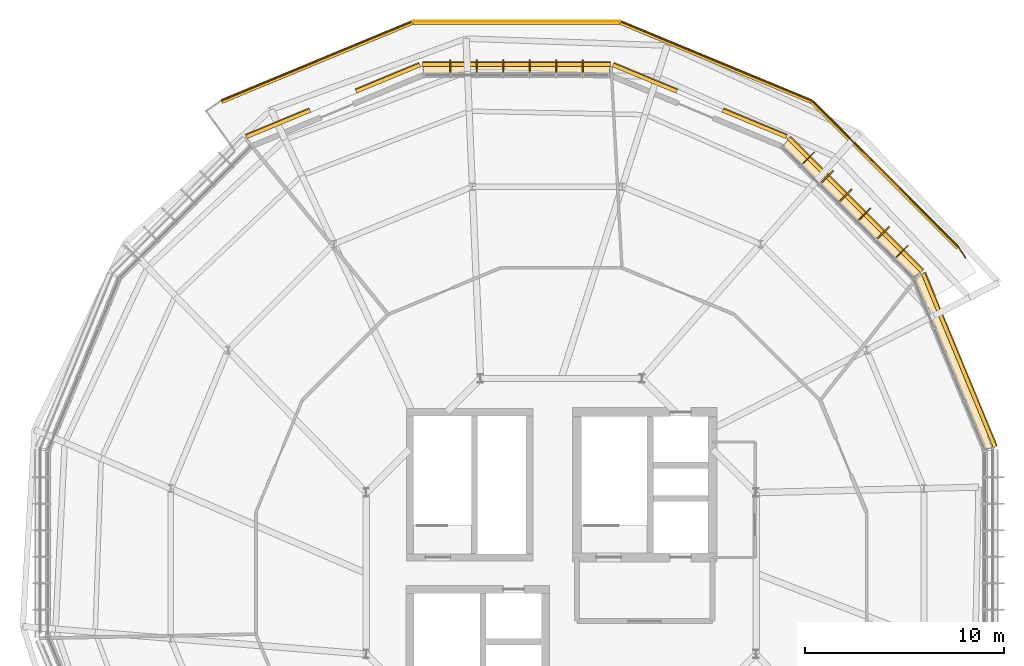
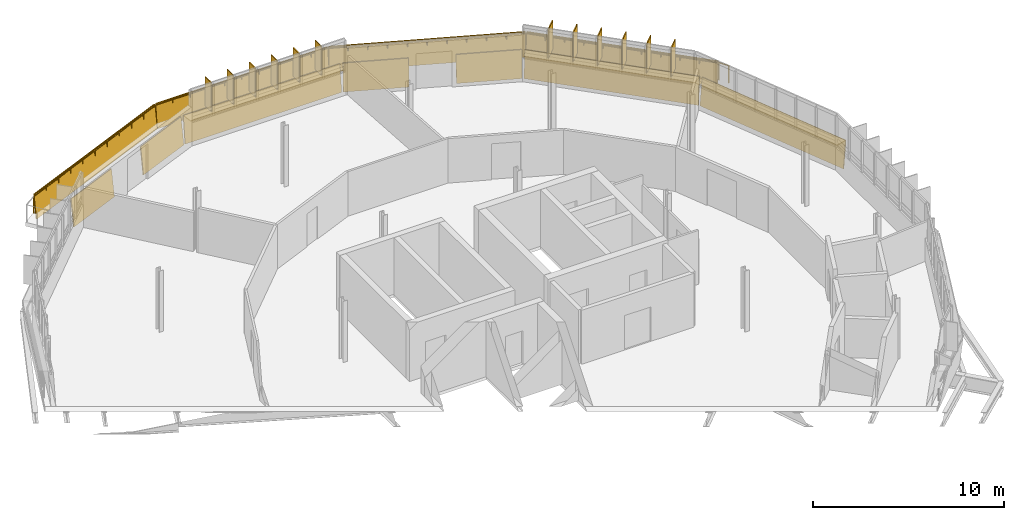
# One storey, part 31 of 31: 21 railings, 14 coverings, 12 shading devices.
"""IFC4 building model written with IfcOpenShell, lengths in metres."""

from ifc_helpers import new_model, si_unit, derived_unit, direction, frame, origin, origin_2d, place, context, subcontext, project, spatial, polyline, rectangle, circle, outline, extrude, material, layer, layer_set, type_object, element, save


model = new_model("IFC4")

# Units and contexts
model_context = context("Model", 3, precision=1e-05, world=origin(), true_north=direction((0.0, 1.0)))
body_context = subcontext(model_context, "Body", "Model", "MODEL_VIEW")
ifc_project = project(units=[si_unit("LENGTHUNIT", "METRE"), si_unit("AREAUNIT", "SQUARE_METRE"), si_unit("VOLUMEUNIT", "CUBIC_METRE"), si_unit("PLANEANGLEUNIT", "RADIAN"), si_unit("MASSUNIT", "GRAM", prefix="KILO"), derived_unit("THERMALTRANSMITTANCEUNIT", [(si_unit("MASSUNIT", "GRAM", prefix="KILO"), 1), (si_unit("TIMEUNIT", "SECOND"), -3), (si_unit("THERMODYNAMICTEMPERATUREUNIT", "KELVIN"), -1)])], contexts=[model_context])

# Site, building, storey
site_placement = place(None, origin())
site = spatial("IfcSite", under=ifc_project, at=site_placement, CompositionType="ELEMENT")
building_placement = place(site_placement, origin())
building = spatial("IfcBuilding", under=site, at=building_placement, Name="Makaiwela Harbour Ferry Terminal", CompositionType="ELEMENT")
storey_placement = place(building_placement, frame((0.0, 0.0, 21.60009765625)))
storey = spatial("IfcBuildingStorey", under=building, at=storey_placement, Name="L05", CompositionType="ELEMENT", Elevation=21.60009765625)

# Coverings
ifc_material_1 = material(Name="White glazed marine ceramic rainscreen tile", Category="masonry")
ifc_layer_1 = layer(ifc_material_1, 0.054931640625)
ifc_layer_set_1 = layer_set([ifc_layer_1], Name="White glazed marine ceramic rainscreen tile")
covering_type = type_object("IfcCoveringType", Name="ENV-CLD-CERAMIC", PredefinedType="CLADDING", material=ifc_layer_set_1)
covering_1_placement = place(storey_placement, frame((59.512939453125, 73.90625, -0.2001953125), z_axis=(-0.918357588115, -0.380395729275, 0.109171559944), x_axis=(-0.382683055547, 0.923879688594, 0.0)))
element("IfcCovering", 1, at=covering_1_placement, inside=storey, type_object=covering_type, Name="Ceramic Spandrel Facet CLD-0127", PredefinedType="CLADDING", context=body_context, shape_type="SweptSolid", body=[
    extrude(outline(polyline([(0.0, 0.0), (9.459831406238237, 0.0), (9.459794785903206, -1.7305585261408318), (-3.6620335031142814e-05, -1.7305585261408318), (0.0, 0.0)])), origin(), (0.0, 0.0, -1.0), 0.054931640625),
])
covering_2_placement = place(storey_placement, frame((0.0, 0.0, 1.47998046875)))
element("IfcCovering", 2, at=covering_2_placement, inside=storey, type_object=covering_type, Name="Ceramic Ring Sill Cap CLD-0128", PredefinedType="CLADDING", context=body_context, shape_type="SweptSolid", body=[
    extrude(outline(polyline([(59.6875, 73.978515625), (56.0673828125, 82.71826171875), (55.516845703125, 82.406005859375), (59.077392578125, 73.809814453125), (59.6875, 73.978515625)])), origin(), (0.0, 0.0, 1.0), 0.054931640625),
])
covering_3_placement = place(storey_placement, frame((55.849609375, 82.710693359375, -0.2001953125), z_axis=(-0.70288330772, -0.70288330772, 0.109133457089), x_axis=(-0.707106781187, 0.707106781187, 0.0)))
element("IfcCovering", 3, at=covering_3_placement, inside=storey, type_object=covering_type, Name="Ceramic Spandrel Facet CLD-0129", PredefinedType="CLADDING", context=body_context, shape_type="SweptSolid", body=[
    extrude(outline(polyline([(0.0, 0.0), (9.459624800268081, 0.0), (9.459624800268081, -1.7305512419385438), (-0.0003452669830012328, -1.7305512419385438), (0.0, 0.0)])), origin(), (0.0, 0.0, -1.0), 0.054931640625),
])
covering_4_placement = place(storey_placement, frame((0.0, 0.0, 1.47998046875)))
element("IfcCovering", 4, at=covering_4_placement, inside=storey, type_object=covering_type, Name="Ceramic Ring Sill Cap CLD-0130", PredefinedType="CLADDING", context=body_context, shape_type="SweptSolid", body=[
    extrude(outline(polyline([(55.9833984375, 82.843994140625), (49.294189453125, 89.533203125), (48.90478515625, 89.0341796875), (55.484130859375, 82.454833984375), (55.9833984375, 82.843994140625)])), origin(), (0.0, 0.0, 1.0), 0.054931640625),
])
covering_5_placement = place(storey_placement, frame((49.086669921875, 89.44677734375, -0.2001953125), z_axis=(-0.380426371444, -0.918352547739, 0.109107167372), x_axis=(-0.923868194957, 0.38271080248, -3.524932e-06)))
element("IfcCovering", 5, at=covering_5_placement, inside=storey, type_object=covering_type, Name="Ceramic Spandrel Facet CLD-0131", PredefinedType="CLADDING", context=body_context, shape_type="SweptSolid", body=[
    extrude(outline(polyline([(0.0, 0.0), (3.4699407526040362, 2.7755575615628914e-17), (3.4699769834137264, -1.7305585225180604), (-5.7204444821209845e-05, -1.7305339126589896), (0.0, 0.0)])), origin(), (0.0, 0.0, -1.0), 0.054931640625),
])
covering_6_placement = place(storey_placement, frame((43.5712890625, 91.731201171875, -0.2001953125), z_axis=(-0.380393818226, -0.918358379689, 0.109171559988), x_axis=(-0.923880484932, 0.382681133009, 0.0)))
element("IfcCovering", 6, at=covering_6_placement, inside=storey, type_object=covering_type, Name="Ceramic Spandrel Facet CLD-0132", PredefinedType="CLADDING", context=body_context, shape_type="SweptSolid", body=[
    extrude(outline(polyline([(0.0, 0.0), (3.469940754414904, -2.7755575615628914e-17), (3.469976981602839, -1.7305585261491065), (3.6227187934362304e-05, -1.7305585261491065), (0.0, 0.0)])), origin(), (0.0, 0.0, -1.0), 0.054931640625),
])
covering_7_placement = place(storey_placement, frame((40.280029296875, 93.078125, -0.2001953125), z_axis=(0.0, -0.994020597742, 0.109192725327), x_axis=(-1.0, 0.0, 0.0)))
element("IfcCovering", 7, at=covering_7_placement, inside=storey, type_object=covering_type, Name="Ceramic Spandrel Facet CLD-0133", PredefinedType="CLADDING", context=body_context, shape_type="SweptSolid", body=[
    extrude(outline(polyline([(0.0, 0.0), (9.4599609375, 0.0), (9.4599609375, -1.7305625735093486), (0.0, -1.7305625735093486), (0.0, 0.0)])), origin(), (0.0, 0.0, -1.0), 0.054931640625),
])
covering_8_placement = place(storey_placement, frame((0.0, 0.0, 1.47998046875)))
element("IfcCovering", 8, at=covering_8_placement, inside=storey, type_object=covering_type, Name="Ceramic Ring Sill Cap CLD-0134", PredefinedType="CLADDING", context=body_context, shape_type="SweptSolid", body=[
    extrude(outline(polyline([(40.280029296875, 93.26708984375), (30.820068359375, 93.26708984375), (30.897705078125, 92.638916015625), (40.2021484375, 92.638916015625), (40.280029296875, 93.26708984375)])), origin(), (0.0, 0.0, 1.0), 0.054931640625),
])
covering_9_placement = place(storey_placement, frame((30.734619140625, 93.05908203125, -0.2001953125), z_axis=(0.380393818226, -0.918358379689, 0.109171559988), x_axis=(-0.923880484932, -0.382681133009, 0.0)))
element("IfcCovering", 9, at=covering_9_placement, inside=storey, type_object=covering_type, Name="Ceramic Spandrel Facet CLD-0135", PredefinedType="CLADDING", context=body_context, shape_type="SweptSolid", body=[
    extrude(outline(polyline([(0.0, 0.0), (3.469940754414904, 2.7755575615628914e-17), (3.46990452722697, -1.7305585261491065), (-3.6227187934362304e-05, -1.7305585261491065), (0.0, 0.0)])), origin(), (0.0, 0.0, -1.0), 0.054931640625),
])
covering_10_placement = place(storey_placement, frame((25.218994140625, 90.774658203125, -0.2001953125), z_axis=(0.380426371444, -0.918352547739, 0.109107167372), x_axis=(-0.923868194957, -0.38271080248, 3.524932e-06)))
element("IfcCovering", 10, at=covering_10_placement, inside=storey, type_object=covering_type, Name="Ceramic Spandrel Facet CLD-0136", PredefinedType="CLADDING", context=body_context, shape_type="SweptSolid", body=[
    extrude(outline(polyline([(0.0, 0.0), (3.4699407526040362, -2.7755575615628914e-17), (3.4699979570488573, -1.7305339126589896), (-3.623080969039921e-05, -1.7305585225180604), (0.0, 0.0)])), origin(), (0.0, 0.0, -1.0), 0.054931640625),
])
covering_11_placement = place(storey_placement, frame((57.6650390625, 83.8759765625, -0.340087890625), z_axis=(-0.702828425055, -0.702828425055, 0.109838107546), x_axis=(-0.707106781187, 0.707106781187, 0.0)))
element("IfcCovering", 11, at=covering_11_placement, inside=storey, type_object=covering_type, Name="Coiled Ramp Ceramic Fascia CLD-R0005", PredefinedType="CLADDING", context=body_context, shape_type="SweptSolid", body=[
    extrude(outline(polyline([(0.0, 0.0), (10.379070776000393, 0.0), (10.378898142508893, -1.5292724081252662), (0.00017263349150060947, -1.5292724081252662), (0.0, 0.0)])), origin(), (0.0, 0.0, -1.0), 0.054931640625),
])
covering_12_placement = place(storey_placement, frame((50.326904296875, 91.21435546875, -0.340087890625), z_axis=(-0.380356394083, -0.918286670508, 0.109902703547), x_axis=(-0.923883210669, 0.382674552387, 4.91665e-07)))
element("IfcCovering", 12, at=covering_12_placement, inside=storey, type_object=covering_type, Name="Coiled Ramp Ceramic Fascia CLD-R0006", PredefinedType="CLADDING", context=body_context, shape_type="SweptSolid", body=[
    extrude(outline(polyline([(0.0, 0.0), (10.378628593075618, 5.551115123125783e-17), (10.378726930970561, -1.5292782603643127), (-0.00012721952953505616, -1.529288528288965), (0.0, 0.0)])), origin(), (0.0, 0.0, -1.0), 0.054931640625),
])
covering_13_placement = place(storey_placement, frame((40.739501953125, 95.185791015625, -0.340087890625), z_axis=(0.0, -0.993932309544, 0.109993472739), x_axis=(-1.0, 0.0, 0.0)))
element("IfcCovering", 13, at=covering_13_placement, inside=storey, type_object=covering_type, Name="Coiled Ramp Ceramic Fascia CLD-R0007", PredefinedType="CLADDING", context=body_context, shape_type="SweptSolid", body=[
    extrude(outline(polyline([(0.0, 0.0), (10.37890625, 0.0), (10.37890625, -1.5292988432461094), (0.0, -1.5292988432461094), (0.0, 0.0)])), origin(), (0.0, 0.0, -1.0), 0.054931640625),
])
covering_14_placement = place(storey_placement, frame((30.36181640625, 95.18603515625, -0.340087890625), z_axis=(0.380356394083, -0.918286670508, 0.109902703547), x_axis=(-0.923883252276, -0.382674451935, 4.91654e-07)))
element("IfcCovering", 14, at=covering_14_placement, inside=storey, type_object=covering_type, Name="Coiled Ramp Ceramic Fascia CLD-R0008", PredefinedType="CLADDING", context=body_context, shape_type="SweptSolid", body=[
    extrude(outline(polyline([(0.0, 0.0), (10.378854150505175, 1.1102230246251565e-16), (10.37875732554352, -1.5292782604608508), (0.00012873247298253126, -1.5292885281623565), (0.0, 0.0)])), origin(), (0.0, 0.0, -1.0), 0.054931640625),
])

# Shading devices
ifc_material_2 = material(Name="Marine anodised aluminium 6063-T6", Category="aluminium")
ifc_layer_2 = layer(ifc_material_2, 0.054931640625)
ifc_layer_set_2 = layer_set([ifc_layer_2], Name="Marine anodised aluminium 6063-T6")
shading_device_type_1 = type_object("IfcShadingDeviceType", Name="ENV-FIN-650", PredefinedType="USERDEFINED", material=ifc_layer_set_2)
for number, where, z_axis, x_axis, name in (
    (15, (38.873046875, 93.076904296875, 1.60009765625), (0.0, 0.0, 1.0), (0.0, 1.0, 0.0), "Vertical Solar Fin SFN-0156"),
    (16, (37.543701171875, 93.076904296875, 1.60009765625), (0.0, 0.0, 1.0), (0.0, 1.0, 0.0), "Vertical Solar Fin SFN-0157"),
    (17, (36.214599609375, 93.076904296875, 1.60009765625), (0.0, 0.0, 1.0), (0.0, 1.0, 0.0), "Vertical Solar Fin SFN-0158"),
    (18, (34.885498046875, 93.076904296875, 1.60009765625), (0.0, 0.0, 1.0), (0.0, 1.0, 0.0), "Vertical Solar Fin SFN-0159"),
    (19, (33.55615234375, 93.076904296875, 1.60009765625), (0.0, 0.0, 1.0), (0.0, 1.0, 0.0), "Vertical Solar Fin SFN-0160"),
    (20, (32.22705078125, 93.076904296875, 1.60009765625), (0.0, 0.0, 1.0), (0.0, 1.0, 0.0), "Vertical Solar Fin SFN-0161"),
):
    element("IfcShadingDevice", number, at=place(storey_placement, frame(where, z_axis=z_axis, x_axis=x_axis)), inside=storey, type_object=shading_device_type_1, Name=name, ObjectType="SOLAR FIN", PredefinedType="USERDEFINED", context=body_context, shape_type="SweptSolid", body=[
        extrude(rectangle(XDim=0.64990234375, YDim=0.054931640625, at=origin_2d()), origin(), (0.0, 0.0, 1.0), 1.840087890625),
    ])
ifc_material_3 = material(Name="Thermally modified Accoya timber and anodised aluminium", Category="wood")
ifc_layer_3 = layer(ifc_material_3, 0.06005859375)
ifc_layer_set_3 = layer_set([ifc_layer_3], Name="Thermally modified Accoya timber and anodised aluminium")
shading_device_type_2 = type_object("IfcShadingDeviceType", Name="ENV-FIN-850", PredefinedType="USERDEFINED", material=ifc_layer_set_3)
for number, where, z_axis, x_axis, name in (
    (21, (54.924560546875, 83.775146484375, 1.60009765625), (0.0, 0.0, 1.0), (0.707106781187, 0.707106781187, 0.0), "Vertical Solar Fin SFN-0150"),
    (22, (53.984619140625, 84.715087890625, 1.60009765625), (0.0, 0.0, 1.0), (0.707106781187, 0.707106781187, 0.0), "Vertical Solar Fin SFN-0151"),
    (23, (53.044921875, 85.655029296875, 1.60009765625), (0.0, 0.0, 1.0), (0.707106781187, 0.707106781187, 0.0), "Vertical Solar Fin SFN-0152"),
    (24, (52.10498046875, 86.5947265625, 1.60009765625), (0.0, 0.0, 1.0), (0.707106781187, 0.707106781187, 0.0), "Vertical Solar Fin SFN-0153"),
    (25, (51.1650390625, 87.53466796875, 1.60009765625), (0.0, 0.0, 1.0), (0.707106781187, 0.707106781187, 0.0), "Vertical Solar Fin SFN-0154"),
    (26, (50.22509765625, 88.474609375, 1.60009765625), (0.0, 0.0, 1.0), (0.707106781187, 0.707106781187, 0.0), "Vertical Solar Fin SFN-0155"),
):
    element("IfcShadingDevice", number, at=place(storey_placement, frame(where, z_axis=z_axis, x_axis=x_axis)), inside=storey, type_object=shading_device_type_2, Name=name, ObjectType="SOLAR FIN", PredefinedType="USERDEFINED", context=body_context, shape_type="SweptSolid", body=[
        extrude(rectangle(XDim=0.85009765625, YDim=0.06005859375, at=origin_2d()), origin(), (0.0, 0.0, 1.0), 1.840087890625),
    ])

# Railings
ifc_material_4 = material(Name="Marine grade 316L brushed stainless steel", Category="steel")
railing_type = type_object("IfcRailingType", Name="INT-RL-GRD110", PredefinedType="GUARDRAIL", material=ifc_material_4)
railing_1_placement = place(storey_placement, frame((20.682373046875, 91.34375, 0.0)))
element("IfcRailing", 27, at=railing_1_placement, inside=storey, type_object=railing_type, Name="Deck edge guardrail RL-0853", PredefinedType="GUARDRAIL", context=body_context, shape_type="SweptSolid", body=[
    extrude(circle(Radius=0.02392578125, at=origin_2d()), frame((0.0, 0.0, 1.09619140625), z_axis=(0.923918540982, 0.382589244007, 0.0), x_axis=(-0.382589244007, 0.923918540982, 0.0)), (0.0, 0.0, 1.0), 2.088623046875),
    extrude(circle(Radius=0.02099609375, at=origin_2d()), origin(), (0.0, 0.0, 1.0), 1.072021484375),
    extrude(circle(Radius=0.02099609375, at=origin_2d()), frame((0.96484375, 0.3994140625, 0.0)), (0.0, 0.0, 1.0), 1.072021484375),
    extrude(circle(Radius=0.02099609375, at=origin_2d()), frame((1.9296875, 0.799072265625, 0.0)), (0.0, 0.0, 1.0), 1.072021484375),
])
railing_2_placement = place(storey_placement, frame((22.612060546875, 92.142822265625, 0.0)))
element("IfcRailing", 28, at=railing_2_placement, inside=storey, type_object=railing_type, Name="Deck edge guardrail RL-0854", PredefinedType="GUARDRAIL", context=body_context, shape_type="SweptSolid", body=[
    extrude(circle(Radius=0.02392578125, at=origin_2d()), frame((0.0, 0.0, 1.09619140625), z_axis=(0.923860097098, 0.382730350234, 0.0), x_axis=(-0.382730350234, 0.923860097098, 0.0)), (0.0, 0.0, 1.0), 2.08837890625),
    extrude(circle(Radius=0.02099609375, at=origin_2d()), origin(), (0.0, 0.0, 1.0), 1.072021484375),
    extrude(circle(Radius=0.02099609375, at=origin_2d()), frame((0.96484375, 0.399658203125, 0.0)), (0.0, 0.0, 1.0), 1.072021484375),
    extrude(circle(Radius=0.02099609375, at=origin_2d()), frame((1.929443359375, 0.79931640625, 0.0)), (0.0, 0.0, 1.0), 1.072021484375),
])
for number, where, name in (
    (29, (24.54150390625, 92.942138671875, 0.0), "Deck edge guardrail RL-0855"),
    (30, (26.47119140625, 93.741455078125, 0.0), "Deck edge guardrail RL-0856"),
    (31, (28.40087890625, 94.540771484375, 0.0), "Deck edge guardrail RL-0857"),
):
    element("IfcRailing", number, at=place(storey_placement, frame(where)), inside=storey, type_object=railing_type, Name=name, PredefinedType="GUARDRAIL", context=body_context, shape_type="SweptSolid", body=[
        extrude(circle(Radius=0.02392578125, at=origin_2d()), frame((0.0, 0.0, 1.09619140625), z_axis=(0.92387721812, 0.382689019753, 0.0), x_axis=(-0.382689019753, 0.92387721812, 0.0)), (0.0, 0.0, 1.0), 2.088623046875),
        extrude(circle(Radius=0.02099609375, at=origin_2d()), origin(), (0.0, 0.0, 1.0), 1.072021484375),
        extrude(circle(Radius=0.02099609375, at=origin_2d()), frame((0.96484375, 0.399658203125, 0.0)), (0.0, 0.0, 1.0), 1.072021484375),
        extrude(circle(Radius=0.02099609375, at=origin_2d()), frame((1.9296875, 0.79931640625, 0.0)), (0.0, 0.0, 1.0), 1.072021484375),
    ])
railing_3_placement = place(storey_placement, frame((30.33056640625, 95.340087890625, 0.0)))
element("IfcRailing", 32, at=railing_3_placement, inside=storey, type_object=railing_type, Name="Deck edge guardrail RL-0858", PredefinedType="GUARDRAIL", context=body_context, shape_type="SweptSolid", body=[
    extrude(circle(Radius=0.02392578125, at=origin_2d()), frame((0.0, 0.0, 1.09619140625), z_axis=(1.0, 0.0, 0.0), x_axis=(0.0, 1.0, 0.0)), (0.0, 0.0, 1.0), 2.087646484375),
    extrude(circle(Radius=0.02099609375, at=origin_2d()), origin(), (0.0, 0.0, 1.0), 1.072021484375),
    extrude(circle(Radius=0.02099609375, at=origin_2d()), frame((1.0439453125, 0.0, 0.0)), (0.0, 0.0, 1.0), 1.072021484375),
    extrude(circle(Radius=0.02099609375, at=origin_2d()), frame((2.087646484375, 0.0, 0.0)), (0.0, 0.0, 1.0), 1.072021484375),
])
for number, where, name in (
    (33, (32.418212890625, 95.340087890625, 0.0), "Deck edge guardrail RL-0859"),
    (34, (34.506103515625, 95.340087890625, 0.0), "Deck edge guardrail RL-0860"),
):
    element("IfcRailing", number, at=place(storey_placement, frame(where)), inside=storey, type_object=railing_type, Name=name, PredefinedType="GUARDRAIL", context=body_context, shape_type="SweptSolid", body=[
        extrude(circle(Radius=0.02392578125, at=origin_2d()), frame((0.0, 0.0, 1.09619140625), z_axis=(1.0, 0.0, 0.0), x_axis=(0.0, 1.0, 0.0)), (0.0, 0.0, 1.0), 2.087890625),
        extrude(circle(Radius=0.02099609375, at=origin_2d()), origin(), (0.0, 0.0, 1.0), 1.072021484375),
        extrude(circle(Radius=0.02099609375, at=origin_2d()), frame((1.0439453125, 0.0, 0.0)), (0.0, 0.0, 1.0), 1.072021484375),
        extrude(circle(Radius=0.02099609375, at=origin_2d()), frame((2.087890625, 0.0, 0.0)), (0.0, 0.0, 1.0), 1.072021484375),
    ])
for number, where, name in (
    (35, (36.593994140625, 95.340087890625, 0.0), "Deck edge guardrail RL-0861"),
    (36, (38.681640625, 95.340087890625, 0.0), "Deck edge guardrail RL-0862"),
):
    element("IfcRailing", number, at=place(storey_placement, frame(where)), inside=storey, type_object=railing_type, Name=name, PredefinedType="GUARDRAIL", context=body_context, shape_type="SweptSolid", body=[
        extrude(circle(Radius=0.02392578125, at=origin_2d()), frame((0.0, 0.0, 1.09619140625), z_axis=(1.0, 0.0, 0.0), x_axis=(0.0, 1.0, 0.0)), (0.0, 0.0, 1.0), 2.087646484375),
        extrude(circle(Radius=0.02099609375, at=origin_2d()), origin(), (0.0, 0.0, 1.0), 1.072021484375),
        extrude(circle(Radius=0.02099609375, at=origin_2d()), frame((1.0439453125, 0.0, 0.0)), (0.0, 0.0, 1.0), 1.072021484375),
        extrude(circle(Radius=0.02099609375, at=origin_2d()), frame((2.087646484375, 0.0, 0.0)), (0.0, 0.0, 1.0), 1.072021484375),
    ])
railing_4_placement = place(storey_placement, frame((40.769287109375, 95.340087890625, 0.0)))
element("IfcRailing", 37, at=railing_4_placement, inside=storey, type_object=railing_type, Name="Deck edge guardrail RL-0863", PredefinedType="GUARDRAIL", context=body_context, shape_type="SweptSolid", body=[
    extrude(circle(Radius=0.02392578125, at=origin_2d()), frame((0.0, 0.0, 1.09619140625), z_axis=(0.923867185759, -0.382713238703, 0.0), x_axis=(0.382713238703, 0.923867185759, 0.0)), (0.0, 0.0, 1.0), 2.087890625),
    extrude(circle(Radius=0.02099609375, at=origin_2d()), origin(), (0.0, 0.0, 1.0), 1.072021484375),
    extrude(circle(Radius=0.02099609375, at=origin_2d()), frame((0.96435546875, -0.3994140625, 0.0)), (0.0, 0.0, 1.0), 1.072021484375),
    extrude(circle(Radius=0.02099609375, at=origin_2d()), frame((1.928955078125, -0.799072265625, 0.0)), (0.0, 0.0, 1.0), 1.072021484375),
])
railing_5_placement = place(storey_placement, frame((42.6982421875, 94.541015625, 0.0)))
element("IfcRailing", 38, at=railing_5_placement, inside=storey, type_object=railing_type, Name="Deck edge guardrail RL-0864", PredefinedType="GUARDRAIL", context=body_context, shape_type="SweptSolid", body=[
    extrude(circle(Radius=0.02392578125, at=origin_2d()), frame((0.0, 0.0, 1.09619140625), z_axis=(0.923908526029, -0.382613428321, 0.0), x_axis=(0.382613428321, 0.923908526029, 0.0)), (0.0, 0.0, 1.0), 2.087890625),
    extrude(circle(Radius=0.02099609375, at=origin_2d()), origin(), (0.0, 0.0, 1.0), 1.072021484375),
    extrude(circle(Radius=0.02099609375, at=origin_2d()), frame((0.96435546875, -0.3994140625, 0.0)), (0.0, 0.0, 1.0), 1.072021484375),
    extrude(circle(Radius=0.02099609375, at=origin_2d()), frame((1.928955078125, -0.798828125, 0.0)), (0.0, 0.0, 1.0), 1.072021484375),
])
railing_6_placement = place(storey_placement, frame((44.627197265625, 93.7421875, 0.0)))
element("IfcRailing", 39, at=railing_6_placement, inside=storey, type_object=railing_type, Name="Deck edge guardrail RL-0865", PredefinedType="GUARDRAIL", context=body_context, shape_type="SweptSolid", body=[
    extrude(circle(Radius=0.02392578125, at=origin_2d()), frame((0.0, 0.0, 1.09619140625), z_axis=(0.923867185759, -0.382713238703, 0.0), x_axis=(0.382713238703, 0.923867185759, 0.0)), (0.0, 0.0, 1.0), 2.087890625),
    extrude(circle(Radius=0.02099609375, at=origin_2d()), origin(), (0.0, 0.0, 1.0), 1.072021484375),
    extrude(circle(Radius=0.02099609375, at=origin_2d()), frame((0.96435546875, -0.3994140625, 0.0)), (0.0, 0.0, 1.0), 1.072021484375),
    extrude(circle(Radius=0.02099609375, at=origin_2d()), frame((1.928955078125, -0.799072265625, 0.0)), (0.0, 0.0, 1.0), 1.072021484375),
])
railing_7_placement = place(storey_placement, frame((46.55615234375, 92.943115234375, 0.0)))
element("IfcRailing", 40, at=railing_7_placement, inside=storey, type_object=railing_type, Name="Deck edge guardrail RL-0866", PredefinedType="GUARDRAIL", context=body_context, shape_type="SweptSolid", body=[
    extrude(circle(Radius=0.02392578125, at=origin_2d()), frame((0.0, 0.0, 1.09619140625), z_axis=(0.92389140469, -0.382654769132, 0.0), x_axis=(0.382654769132, 0.92389140469, 0.0)), (0.0, 0.0, 1.0), 2.087646484375),
    extrude(circle(Radius=0.02099609375, at=origin_2d()), origin(), (0.0, 0.0, 1.0), 1.072021484375),
    extrude(circle(Radius=0.02099609375, at=origin_2d()), frame((0.96435546875, -0.3994140625, 0.0)), (0.0, 0.0, 1.0), 1.072021484375),
    extrude(circle(Radius=0.02099609375, at=origin_2d()), frame((1.9287109375, -0.798828125, 0.0)), (0.0, 0.0, 1.0), 1.072021484375),
])
railing_8_placement = place(storey_placement, frame((48.48486328125, 92.144287109375, 0.0)))
element("IfcRailing", 41, at=railing_8_placement, inside=storey, type_object=railing_type, Name="Deck edge guardrail RL-0867", PredefinedType="GUARDRAIL", context=body_context, shape_type="SweptSolid", body=[
    extrude(circle(Radius=0.02392578125, at=origin_2d()), frame((0.0, 0.0, 1.09619140625), z_axis=(0.923867185759, -0.382713238703, 0.0), x_axis=(0.382713238703, 0.923867185759, 0.0)), (0.0, 0.0, 1.0), 2.087890625),
    extrude(circle(Radius=0.02099609375, at=origin_2d()), origin(), (0.0, 0.0, 1.0), 1.072021484375),
    extrude(circle(Radius=0.02099609375, at=origin_2d()), frame((0.96435546875, -0.3994140625, 0.0)), (0.0, 0.0, 1.0), 1.072021484375),
    extrude(circle(Radius=0.02099609375, at=origin_2d()), frame((1.928955078125, -0.799072265625, 0.0)), (0.0, 0.0, 1.0), 1.072021484375),
])
for number, where, name in (
    (42, (50.413818359375, 91.34521484375, 0.0), "Deck edge guardrail RL-0868"),
    (43, (51.890625, 89.868408203125, 0.0), "Deck edge guardrail RL-0869"),
    (44, (53.367431640625, 88.3916015625, 0.0), "Deck edge guardrail RL-0870"),
):
    element("IfcRailing", number, at=place(storey_placement, frame(where)), inside=storey, type_object=railing_type, Name=name, PredefinedType="GUARDRAIL", context=body_context, shape_type="SweptSolid", body=[
        extrude(circle(Radius=0.02392578125, at=origin_2d()), frame((0.0, 0.0, 1.09619140625), z_axis=(0.707106781187, -0.707106781187, 0.0), x_axis=(0.707106781187, 0.707106781187, 0.0)), (0.0, 0.0, 1.0), 2.088623046875),
        extrude(circle(Radius=0.02099609375, at=origin_2d()), origin(), (0.0, 0.0, 1.0), 1.072021484375),
        extrude(circle(Radius=0.02099609375, at=origin_2d()), frame((0.73828125, -0.73828125, 0.0)), (0.0, 0.0, 1.0), 1.072021484375),
        extrude(circle(Radius=0.02099609375, at=origin_2d()), frame((1.476806640625, -1.476806640625, 0.0)), (0.0, 0.0, 1.0), 1.072021484375),
    ])
railing_9_placement = place(storey_placement, frame((54.84423828125, 86.914794921875, 0.0)))
element("IfcRailing", 45, at=railing_9_placement, inside=storey, type_object=railing_type, Name="Deck edge guardrail RL-0871", PredefinedType="GUARDRAIL", context=body_context, shape_type="SweptSolid", body=[
    extrude(circle(Radius=0.02392578125, at=origin_2d()), frame((0.0, 0.0, 1.09619140625), z_axis=(0.707165222178, -0.707048335365, 0.0), x_axis=(0.707048335365, 0.707165222178, 0.0)), (0.0, 0.0, 1.0), 2.088623046875),
    extrude(circle(Radius=0.02099609375, at=origin_2d()), origin(), (0.0, 0.0, 1.0), 1.072021484375),
    extrude(circle(Radius=0.02099609375, at=origin_2d()), frame((0.738525390625, -0.73828125, 0.0)), (0.0, 0.0, 1.0), 1.072021484375),
    extrude(circle(Radius=0.02099609375, at=origin_2d()), frame((1.47705078125, -1.476806640625, 0.0)), (0.0, 0.0, 1.0), 1.072021484375),
])
railing_10_placement = place(storey_placement, frame((56.3212890625, 85.43798828125, 0.0)))
element("IfcRailing", 46, at=railing_10_placement, inside=storey, type_object=railing_type, Name="Deck edge guardrail RL-0872", PredefinedType="GUARDRAIL", context=body_context, shape_type="SweptSolid", body=[
    extrude(circle(Radius=0.02392578125, at=origin_2d()), frame((0.0, 0.0, 1.09619140625), z_axis=(0.707106781187, -0.707106781187, 0.0), x_axis=(0.707106781187, 0.707106781187, 0.0)), (0.0, 0.0, 1.0), 2.088623046875),
    extrude(circle(Radius=0.02099609375, at=origin_2d()), origin(), (0.0, 0.0, 1.0), 1.072021484375),
    extrude(circle(Radius=0.02099609375, at=origin_2d()), frame((0.73828125, -0.73828125, 0.0)), (0.0, 0.0, 1.0), 1.072021484375),
    extrude(circle(Radius=0.02099609375, at=origin_2d()), frame((1.476806640625, -1.476806640625, 0.0)), (0.0, 0.0, 1.0), 1.072021484375),
])
railing_11_placement = place(storey_placement, frame((57.798095703125, 83.961181640625, 0.0)))
element("IfcRailing", 47, at=railing_11_placement, inside=storey, type_object=railing_type, Name="Deck edge guardrail RL-0873", PredefinedType="GUARDRAIL", context=body_context, shape_type="SweptSolid", body=[
    extrude(circle(Radius=0.02392578125, at=origin_2d()), frame((0.0, 0.0, 1.09619140625), z_axis=(0.531907075973, -0.846802729407, 0.0), x_axis=(0.846802729407, 0.531907075973, 0.0)), (0.0, 0.0, 1.0), 0.586181640625),
    extrude(circle(Radius=0.02099609375, at=origin_2d()), origin(), (0.0, 0.0, 1.0), 1.072021484375),
    extrude(circle(Radius=0.02099609375, at=origin_2d()), frame((0.311767578125, -0.496337890625, 0.0)), (0.0, 0.0, 1.0), 1.072021484375),
])

save(model, "model.ifc")
